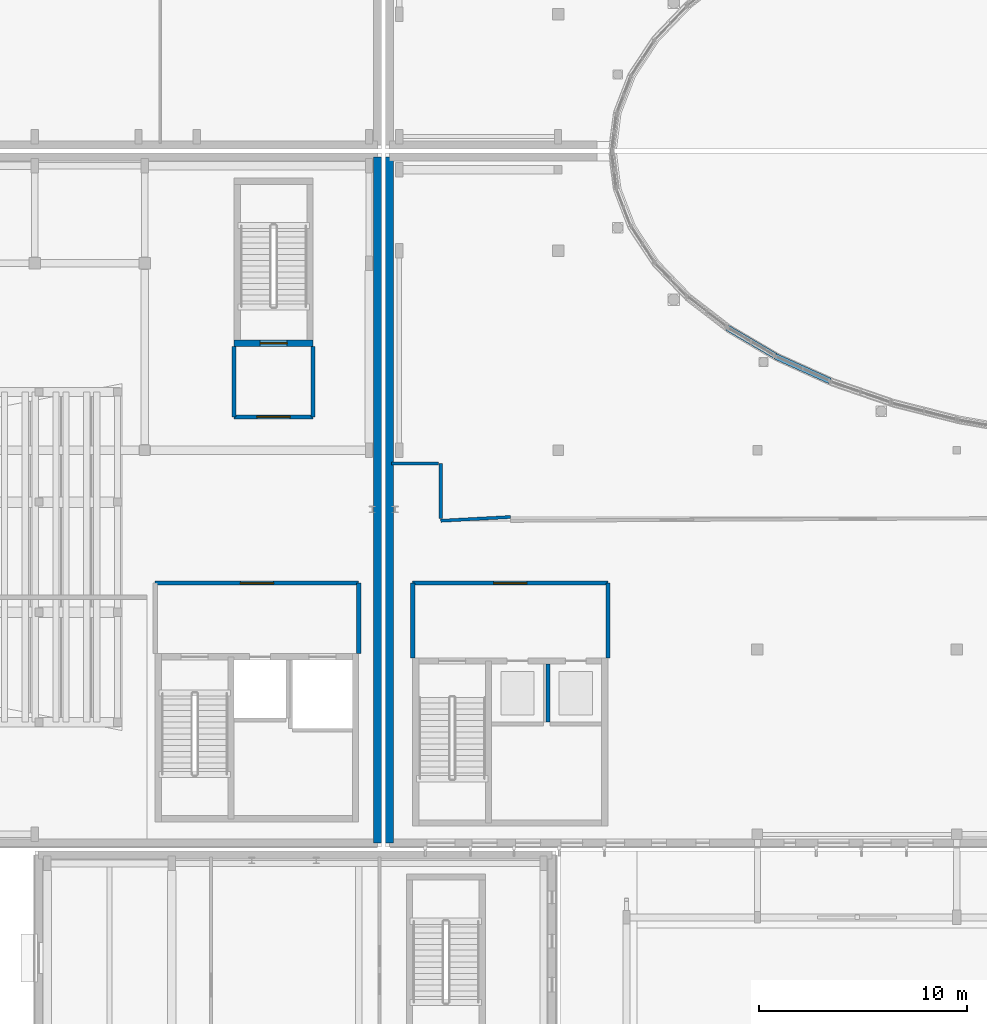
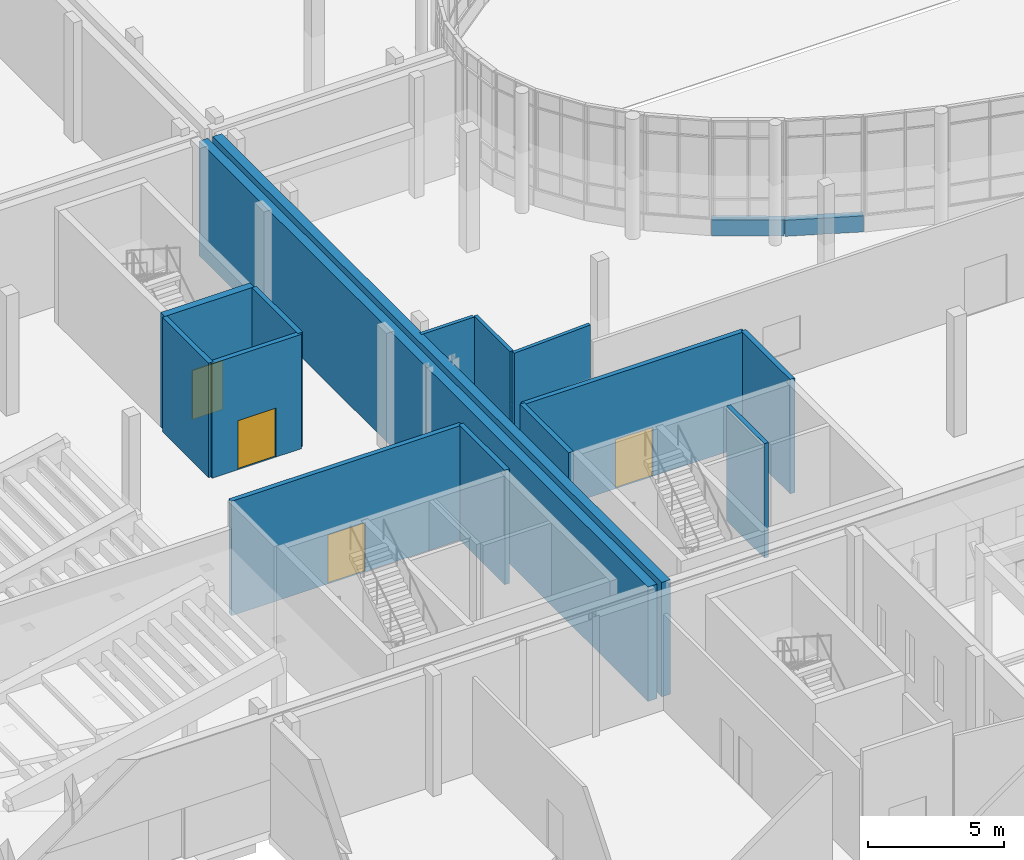
# One storey, part 41 of 84: 17 walls, 4 doors, 4 openings.
"""IFC4 building model written with IfcOpenShell, lengths in metres."""

from ifc_helpers import new_model, si_unit, direction, frame, frame_2d, origin, place, context, subcontext, project, spatial, rectangle, extrude, material, layer, layer_set, type_object, element, fill, save


model = new_model("IFC4")

# Units and contexts
model_context = context("Model", 3, precision=1e-05, world=origin(), true_north=direction((0.0, 1.0)))
body_context = subcontext(model_context, "Body", "Model", "MODEL_VIEW")
ifc_project = project(units=[si_unit("LENGTHUNIT", "METRE"), si_unit("AREAUNIT", "SQUARE_METRE"), si_unit("VOLUMEUNIT", "CUBIC_METRE"), si_unit("PLANEANGLEUNIT", "RADIAN"), si_unit("MASSUNIT", "GRAM", prefix="KILO")], contexts=[model_context])

# Site, building, storey
site_placement = place(None, origin())
site = spatial("IfcSite", under=ifc_project, at=site_placement, CompositionType="ELEMENT")
building_placement = place(site_placement, origin())
building = spatial("IfcBuilding", under=site, at=building_placement, Name="Mzevani Central Library", CompositionType="ELEMENT")
storey_placement = place(building_placement, origin())
storey = spatial("IfcBuildingStorey", under=building, at=storey_placement, Name="L00", CompositionType="ELEMENT", Elevation=0.0)

# Wall
ifc_material_1 = material(Name="Concrete C35/45", Category="concrete")
ifc_layer_1 = layer(ifc_material_1, 0.199951171875, Name="Compartment Wall 200")
ifc_layer_set_1 = layer_set([ifc_layer_1], Name="Concrete C35/45")
wall_type_1 = type_object("IfcWallType", Name="Compartment Wall 200", PredefinedType="STANDARD", material=ifc_layer_set_1)
wall_1_placement = place(storey_placement, frame((47.39990234375, 51.60009765625, 0.0), z_axis=(0.0, 0.0, 1.0), x_axis=(0.0, 1.0, 0.0)))
element("IfcWall", 1, at=wall_1_placement, inside=storey, type_object=wall_type_1, Name="L00 Protected Stair Lobby C1A Enclosure Wall 1", PredefinedType="STANDARD", context=body_context, shape_type="SweptSolid", body=[
    extrude(rectangle(XDim=3.599853515625, YDim=0.199951171875, at=frame_2d((1.7998046875, 0.0))), origin(), (0.0, 0.0, 1.0), 5.139892578125),
])

# Wall, opening, door
wall_2_placement = place(storey_placement, frame((47.39990234375, 55.199951171875, 0.0), z_axis=(0.0, 0.0, 1.0), x_axis=(1.0, 0.0, 0.0)))
wall_2 = element("IfcWall", 2, at=wall_2_placement, inside=storey, type_object=wall_type_1, Name="L00 Protected Stair Lobby C1A Enclosure Wall 2", PredefinedType="STANDARD", context=body_context, shape_type="SweptSolid", body=[
    extrude(rectangle(XDim=9.400146484375, YDim=0.199951171875, at=frame_2d((4.7001953125, 0.0))), origin(), (0.0, 0.0, 1.0), 5.139892578125),
])
opening_1_placement = place(wall_2_placement, frame((3.89990234375, 0.0, 0.0)))
opening_1 = element("IfcOpeningElement", 3, at=opening_1_placement, cuts=wall_2, Name="Opening FD-02", PredefinedType="OPENING", context=body_context, shape_type="SweptSolid", body=[
    extrude(rectangle(XDim=1.60009765625, YDim=2.199951171875, at=frame_2d((0.800048828125, 1.10009765625))), frame((0.0, 0.10986328125, 0.0), z_axis=(0.0, -1.0, 0.0), x_axis=(1.0, 0.0, 0.0)), (0.0, 0.0, 1.0), 0.219970703125),
])
ifc_material_2 = material(Name="Fire-rated steel door assembly", Category="steel")
door_type_1 = type_object("IfcDoorType", Name="Fire Lobby Double Door 1600x2200", OperationType="NOTDEFINED", PredefinedType="DOOR", material=ifc_material_2)
door_1_placement = place(opening_1_placement, origin())
door_1 = element("IfcDoor", 4, at=door_1_placement, inside=storey, type_object=door_type_1, Name="L00 Protected Stair Lobby C1A Smoke-Control Door", OperationType="DOUBLE_DOOR_SINGLE_SWING", OverallHeight=2.199951171875, OverallWidth=1.60009765625, PredefinedType="DOOR", context=body_context, shape_type="SweptSolid", body=[
    extrude(rectangle(XDim=1.60009765625, YDim=2.199951171875, at=frame_2d((0.800048828125, 1.10009765625))), frame((0.0, 0.02490234375, 0.0), z_axis=(0.0, -1.0, 0.0), x_axis=(1.0, 0.0, 0.0)), (0.0, 0.0, 1.0), 0.050048828125),
])
fill(opening_1, door_1)

# Wall
wall_3_placement = place(storey_placement, frame((56.800048828125, 55.199951171875, 0.0), z_axis=(0.0, 0.0, 1.0), x_axis=(0.0, -1.0, 0.0)))
element("IfcWall", 5, at=wall_3_placement, inside=storey, type_object=wall_type_1, Name="L00 Protected Stair Lobby C1A Enclosure Wall 3", PredefinedType="STANDARD", context=body_context, shape_type="SweptSolid", body=[
    extrude(rectangle(XDim=3.599853515625, YDim=0.199951171875, at=frame_2d((1.7998046875, 0.0))), origin(), (0.0, 0.0, 1.0), 5.139892578125),
])

# Wall, opening, door
wall_4_placement = place(storey_placement, frame((35.0, 55.199951171875, 0.0), z_axis=(0.0, 0.0, 1.0), x_axis=(1.0, 0.0, 0.0)))
wall_4 = element("IfcWall", 6, at=wall_4_placement, inside=storey, type_object=wall_type_1, Name="L00 Protected Stair Lobby C5A Enclosure Wall 2", PredefinedType="STANDARD", context=body_context, shape_type="SweptSolid", body=[
    extrude(rectangle(XDim=9.800048828125, YDim=0.199951171875, at=frame_2d((4.89990234375, 0.0))), origin(), (0.0, 0.0, 1.0), 5.139892578125),
])
opening_2_placement = place(wall_4_placement, frame((4.10009765625, 0.0, 0.0)))
opening_2 = element("IfcOpeningElement", 7, at=opening_2_placement, cuts=wall_4, Name="Opening FD-02", PredefinedType="OPENING", context=body_context, shape_type="SweptSolid", body=[
    extrude(rectangle(XDim=1.60009765625, YDim=2.199951171875, at=frame_2d((0.800048828125, 1.10009765625))), frame((0.0, 0.10986328125, 0.0), z_axis=(0.0, -1.0, 0.0), x_axis=(1.0, 0.0, 0.0)), (0.0, 0.0, 1.0), 0.219970703125),
])
door_2_placement = place(opening_2_placement, origin())
door_2 = element("IfcDoor", 8, at=door_2_placement, inside=storey, type_object=door_type_1, Name="L00 Protected Stair Lobby C5A Smoke-Control Door", OperationType="DOUBLE_DOOR_SINGLE_SWING", OverallHeight=2.199951171875, OverallWidth=1.60009765625, PredefinedType="DOOR", context=body_context, shape_type="SweptSolid", body=[
    extrude(rectangle(XDim=1.60009765625, YDim=2.199951171875, at=frame_2d((0.800048828125, 1.10009765625))), frame((0.0, 0.02490234375, 0.0), z_axis=(0.0, -1.0, 0.0), x_axis=(1.0, 0.0, 0.0)), (0.0, 0.0, 1.0), 0.050048828125),
])
fill(opening_2, door_2)

# Walls
wall_5_placement = place(storey_placement, frame((44.800048828125, 55.199951171875, 0.0), z_axis=(0.0, 0.0, 1.0), x_axis=(0.0, -1.0, 0.0)))
element("IfcWall", 9, at=wall_5_placement, inside=storey, type_object=wall_type_1, Name="L00 Protected Stair Lobby C5A Enclosure Wall 3", PredefinedType="STANDARD", context=body_context, shape_type="SweptSolid", body=[
    extrude(rectangle(XDim=3.39990234375, YDim=0.199951171875, at=frame_2d((1.699951171875, 0.0))), origin(), (0.0, 0.0, 1.0), 5.139892578125),
])
wall_6_placement = place(storey_placement, frame((38.800048828125, 66.60009765625, 0.0), z_axis=(0.0, 0.0, 1.0), x_axis=(0.0, -1.0, 0.0)))
element("IfcWall", 10, at=wall_6_placement, inside=storey, type_object=wall_type_1, Name="L00 Stair Vestibule C5B Enclosure Wall 1", PredefinedType="STANDARD", context=body_context, shape_type="SweptSolid", body=[
    extrude(rectangle(XDim=3.400146484375, YDim=0.199951171875, at=frame_2d((1.7001953125, 0.0))), origin(), (0.0, 0.0, 1.0), 5.139892578125),
])

# Wall, opening, door
wall_7_placement = place(storey_placement, frame((38.800048828125, 63.199951171875, 0.0), z_axis=(0.0, 0.0, 1.0), x_axis=(1.0, 0.0, 0.0)))
wall_7 = element("IfcWall", 11, at=wall_7_placement, inside=storey, type_object=wall_type_1, Name="L00 Stair Vestibule C5B Enclosure Wall 2", PredefinedType="STANDARD", context=body_context, shape_type="SweptSolid", body=[
    extrude(rectangle(XDim=3.800048828125, YDim=0.199951171875, at=frame_2d((1.89990234375, 0.0))), origin(), (0.0, 0.0, 1.0), 5.139892578125),
])
opening_3_placement = place(wall_7_placement, frame((1.10009765625, 0.0, 0.0)))
opening_3 = element("IfcOpeningElement", 12, at=opening_3_placement, cuts=wall_7, Name="Opening FD-02", PredefinedType="OPENING", context=body_context, shape_type="SweptSolid", body=[
    extrude(rectangle(XDim=1.60009765625, YDim=2.199951171875, at=frame_2d((0.800048828125, 1.10009765625))), frame((0.0, 0.10986328125, 0.0), z_axis=(0.0, -1.0, 0.0), x_axis=(1.0, 0.0, 0.0)), (0.0, 0.0, 1.0), 0.219970703125),
])
door_3_placement = place(opening_3_placement, origin())
door_3 = element("IfcDoor", 13, at=door_3_placement, inside=storey, type_object=door_type_1, Name="L00 Stair Vestibule C5B Smoke-Control Door", OperationType="DOUBLE_DOOR_SINGLE_SWING", OverallHeight=2.199951171875, OverallWidth=1.60009765625, PredefinedType="DOOR", context=body_context, shape_type="SweptSolid", body=[
    extrude(rectangle(XDim=1.60009765625, YDim=2.199951171875, at=frame_2d((0.800048828125, 1.10009765625))), frame((0.0, 0.02490234375, 0.0), z_axis=(0.0, -1.0, 0.0), x_axis=(1.0, 0.0, 0.0)), (0.0, 0.0, 1.0), 0.050048828125),
])
fill(opening_3, door_3)

# Wall
wall_8_placement = place(storey_placement, frame((42.60009765625, 63.199951171875, 0.0), z_axis=(0.0, 0.0, 1.0), x_axis=(0.0, 1.0, 0.0)))
element("IfcWall", 14, at=wall_8_placement, inside=storey, type_object=wall_type_1, Name="L00 Stair Vestibule C5B Enclosure Wall 3", PredefinedType="STANDARD", context=body_context, shape_type="SweptSolid", body=[
    extrude(rectangle(XDim=3.400146484375, YDim=0.199951171875, at=frame_2d((1.7001953125, 0.0))), origin(), (0.0, 0.0, 1.0), 5.139892578125),
])

# Wall, opening, door
ifc_material_3 = material(Name="Concrete C40/50", Category="concrete")
ifc_layer_2 = layer(ifc_material_3, 0.300048828125, Name="Core Shear Wall 300")
ifc_layer_set_2 = layer_set([ifc_layer_2], Name="Concrete C40/50")
wall_type_2 = type_object("IfcWallType", Name="Core Shear Wall 300", PredefinedType="SHEAR", material=ifc_layer_set_2)
wall_9_placement = place(storey_placement, frame((42.60009765625, 66.75, 0.0), z_axis=(0.0, 0.0, 1.0), x_axis=(-1.0, 0.0, 0.0)))
wall_9 = element("IfcWall", 15, at=wall_9_placement, inside=storey, type_object=wall_type_2, Name="L00 Core C5B Lecture North Escape Stair Shear Wall (-y)", PredefinedType="SHEAR", context=body_context, shape_type="SweptSolid", body=[
    extrude(rectangle(XDim=3.800048828125, YDim=0.300048828125, at=frame_2d((1.89990234375, 0.0))), origin(), (0.0, 0.0, 1.0), 5.139892578125),
])
opening_4_placement = place(wall_9_placement, frame((1.25, 0.0, 0.0)))
opening_4 = element("IfcOpeningElement", 16, at=opening_4_placement, cuts=wall_9, Name="Opening FD-01", PredefinedType="OPENING", context=body_context, shape_type="SweptSolid", body=[
    extrude(rectangle(XDim=1.300048828125, YDim=2.199951171875, at=frame_2d((0.64990234375, 1.10009765625))), frame((0.0, 0.16015625, 0.0), z_axis=(0.0, -1.0, 0.0), x_axis=(1.0, 0.0, 0.0)), (0.0, 0.0, 1.0), 0.320068359375),
])
door_type_2 = type_object("IfcDoorType", Name="Fire Stair Door 1300x2200", OperationType="NOTDEFINED", PredefinedType="DOOR", material=ifc_material_2)
door_4_placement = place(opening_4_placement, origin())
door_4 = element("IfcDoor", 17, at=door_4_placement, inside=storey, type_object=door_type_2, Name="L00 ST-10 Protected Exit Stair Door", OperationType="SINGLE_SWING_LEFT", OverallHeight=2.199951171875, OverallWidth=1.300048828125, PredefinedType="DOOR", context=body_context, shape_type="SweptSolid", body=[
    extrude(rectangle(XDim=1.300048828125, YDim=2.199951171875, at=frame_2d((0.64990234375, 1.10009765625))), frame((0.0, 0.02490234375, 0.0), z_axis=(0.0, -1.0, 0.0), x_axis=(1.0, 0.0, 0.0)), (0.0, 0.0, 1.0), 0.050048828125),
])
fill(opening_4, door_4)

# Walls
ifc_material_4 = material(Name="Precast concrete C40/50", Category="concrete")
ifc_layer_3 = layer(ifc_material_4, 0.280029296875, Name="Court Spandrel Wall 280")
ifc_layer_set_3 = layer_set([ifc_layer_3], Name="Precast concrete C40/50")
wall_type_3 = type_object("IfcWallType", Name="Court Spandrel Wall 280", PredefinedType="STANDARD", material=ifc_layer_set_3)
wall_10_placement = place(storey_placement, frame((62.53759765625, 67.5009765625, 0.0), z_axis=(0.0, 0.0, 1.0), x_axis=(0.862149496171, -0.506653970923, 0.0)))
element("IfcWall", 18, at=wall_10_placement, inside=storey, type_object=wall_type_3, Name="L00 Elliptical Court Spandrel 30", PredefinedType="STANDARD", context=body_context, shape_type="SweptSolid", body=[
    extrude(rectangle(XDim=2.68115234375, YDim=0.280029296875, at=frame_2d((1.340576171875, 0.0))), origin(), (0.0, 0.0, 1.0), 0.719970703125),
])
wall_11_placement = place(storey_placement, frame((64.85986328125, 66.121826171875, 0.0), z_axis=(0.0, 0.0, 1.0), x_axis=(0.911231648639, -0.411894261333, 0.0)))
element("IfcWall", 19, at=wall_11_placement, inside=storey, type_object=wall_type_3, Name="L00 Elliptical Court Spandrel 31", PredefinedType="STANDARD", context=body_context, shape_type="SweptSolid", body=[
    extrude(rectangle(XDim=2.892578125, YDim=0.280029296875, at=frame_2d((1.4462890625, 0.0))), origin(), (0.0, 0.0, 1.0), 0.719970703125),
])
ifc_layer_4 = layer(ifc_material_4, 0.3798828125, Name="Exterior Thermal Concrete Wall 380")
ifc_layer_set_4 = layer_set([ifc_layer_4], Name="Precast concrete C40/50")
wall_type_4 = type_object("IfcWallType", Name="Exterior Thermal Concrete Wall 380", PredefinedType="STANDARD", material=ifc_layer_set_4)
for number, where, z_axis, x_axis, name in (
    (20, (46.2900390625, 42.68994140625, 0.0), (0.0, 0.0, 1.0), (0.0, 1.0, 0.0), "L00 V1 Exterior Thermal Wall (3)"),
    (21, (45.7099609375, 75.7099609375, 0.0), (0.0, 0.0, 1.0), (0.0, -1.0, 0.0), "L00 V5 Exterior Thermal Wall (91)"),
):
    element("IfcWall", number, at=place(storey_placement, frame(where, z_axis=z_axis, x_axis=x_axis)), inside=storey, type_object=wall_type_4, Name=name, PredefinedType="STANDARD", context=body_context, shape_type="SweptSolid", body=[
        extrude(rectangle(XDim=33.02001953125, YDim=0.3798828125, at=frame_2d((16.510009765625, 0.0))), origin(), (0.0, 0.0, 1.0), 5.139892578125),
    ])
ifc_material_5 = material(Name="Fire-rated gypsum board", Category="gypsum")
ifc_layer_5 = layer(ifc_material_5, 0.14990234375, Name="Partition Study 150")
ifc_layer_set_5 = layer_set([ifc_layer_5], Name="Fire-rated gypsum board")
wall_type_5 = type_object("IfcWallType", Name="Partition Study 150", PredefinedType="PARTITIONING", material=ifc_layer_set_5)
wall_12_placement = place(storey_placement, frame((52.10009765625, 58.3798828125, 0.0), z_axis=(0.0, 0.0, 1.0), x_axis=(-0.99856076476, -0.053632071391, 0.0)))
element("IfcWall", 22, at=wall_12_placement, inside=storey, type_object=wall_type_5, Name="L00 V1 Partition IW-03 (80)", PredefinedType="PARTITIONING", context=body_context, shape_type="SweptSolid", body=[
    extrude(rectangle(XDim=3.35498046875, YDim=0.14990234375, at=frame_2d((1.677490234375, 0.0))), origin(), (0.0, 0.0, 1.0), 5.139892578125),
])
wall_13_placement = place(storey_placement, frame((48.75, 58.300048828125, 0.0), z_axis=(0.0, 0.0, 1.0), x_axis=(0.0, 1.0, 0.0)))
element("IfcWall", 23, at=wall_13_placement, inside=storey, type_object=wall_type_5, Name="L00 V1 Partition IW-03 (81)", PredefinedType="PARTITIONING", context=body_context, shape_type="SweptSolid", body=[
    extrude(rectangle(XDim=2.64990234375, YDim=0.14990234375, at=frame_2d((1.324951171875, 0.0))), origin(), (0.0, 0.0, 1.0), 5.139892578125),
])
wall_14_placement = place(storey_placement, frame((48.64990234375, 60.949951171875, 0.0), z_axis=(0.0, 0.0, 1.0), x_axis=(-1.0, 0.0, 0.0)))
element("IfcWall", 24, at=wall_14_placement, inside=storey, type_object=wall_type_5, Name="L00 V1 Partition IW-03 (82)", PredefinedType="PARTITIONING", context=body_context, shape_type="SweptSolid", body=[
    extrude(rectangle(XDim=2.260009765625, YDim=0.14990234375, at=frame_2d((1.1298828125, 0.0))), origin(), (0.0, 0.0, 1.0), 5.139892578125),
])
ifc_material_6 = material(Name="Concrete blockwork masonry", Category="masonry")
ifc_layer_6 = layer(ifc_material_6, 0.179931640625, Name="Shaft Enclosure Wall 180")
ifc_layer_set_6 = layer_set([ifc_layer_6], Name="Concrete blockwork masonry")
wall_type_6 = type_object("IfcWallType", Name="Shaft Enclosure Wall 180", PredefinedType="PARTITIONING", material=ifc_layer_set_6)
wall_15_placement = place(storey_placement, frame((53.909912109375, 48.5, 0.0), z_axis=(0.0, 0.0, 1.0), x_axis=(0.0, 1.0, 0.0)))
element("IfcWall", 25, at=wall_15_placement, inside=storey, type_object=wall_type_6, Name="L00 Lift LF-P2 Hoistway Enclosure Wall", PredefinedType="PARTITIONING", context=body_context, shape_type="SweptSolid", body=[
    extrude(rectangle(XDim=2.800048828125, YDim=0.179931640625, at=frame_2d((1.39990234375, 0.0))), origin(), (0.0, 0.0, 1.0), 5.139892578125),
])

save(model, "model.ifc")
